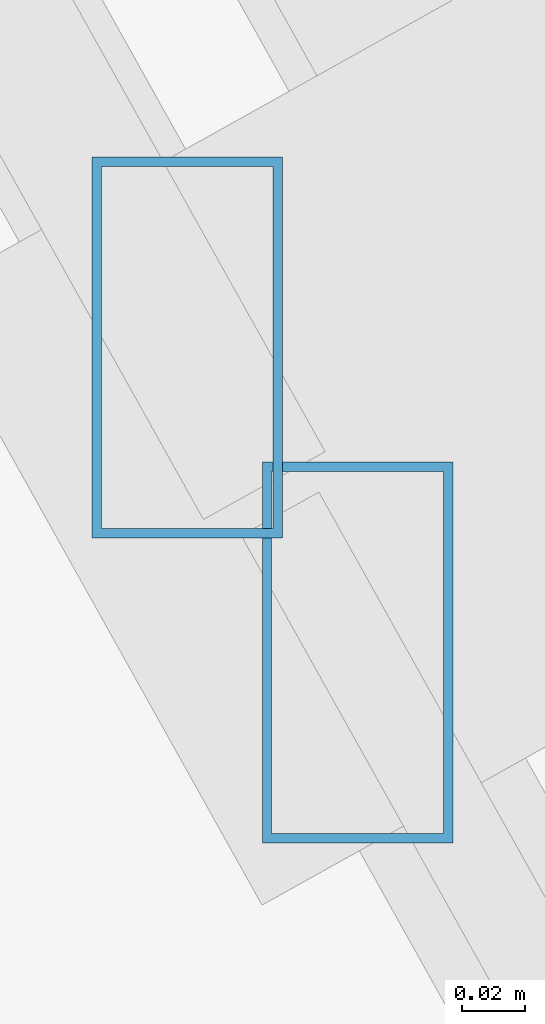
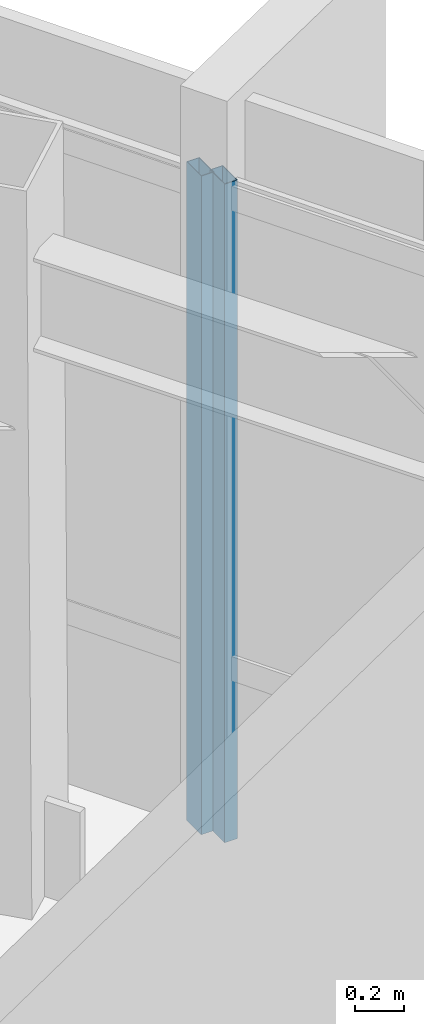
# One storey, part 30 of 44: 2 members, 2 elements without a shape of their own.
"""IFC4 building model written with IfcOpenShell, lengths in metres."""

from ifc_helpers import new_model, si_unit, direction, frame, origin, origin_2d, place, context, subcontext, project, spatial, hollow_rectangle, extrude, source, transform, mapped, material, material_profile, profile_set, type_object, type_shapes, element, aggregate, save


model = new_model("IFC4")

# Units and contexts
model_context = context("Model", 3, precision=1e-05, world=origin(), true_north=direction((0.0, 1.0)))
body_context = subcontext(model_context, "Body", "Model", "MODEL_VIEW")
ifc_project = project(units=[si_unit("LENGTHUNIT", "METRE"), si_unit("AREAUNIT", "SQUARE_METRE"), si_unit("VOLUMEUNIT", "CUBIC_METRE"), si_unit("PLANEANGLEUNIT", "RADIAN"), si_unit("MASSUNIT", "GRAM", prefix="KILO")], contexts=[model_context])

# Site, building, storey
site_placement = place(None, origin())
site = spatial("IfcSite", under=ifc_project, at=site_placement, CompositionType="ELEMENT")
building_placement = place(site_placement, origin())
building = spatial("IfcBuilding", under=site, at=building_placement, Name="Caelisora Broadcast Tower", CompositionType="ELEMENT")
storey_placement = place(building_placement, frame((0.0, 0.0, 280.949951171875)))
storey = spatial("IfcBuildingStorey", under=building, at=storey_placement, Name="L74", CompositionType="ELEMENT", Elevation=280.949951171875)

# Curtain wall, member
ifc_material_1 = material(Name="Unitised Aluminium Insulated Shadow-Box Spandrel Curtain Wall", Category="aluminium")
curtain_wall_type_1 = type_object("IfcCurtainWallType", Name="CW-SP3", PredefinedType="NOTDEFINED", material=ifc_material_1)
curtain_wall_1_placement = place(storey_placement, origin())
curtain_wall_1 = element("IfcCurtainWall", 1, at=curtain_wall_1_placement, inside=storey, type_object=curtain_wall_type_1, Name="L74 curtain wall CW-SP3", PredefinedType="NOTDEFINED")
ifc_material_2 = material(Name="Aluminium 6063-T6 Anodised Terracotta Bronze", Category="aluminium")
ifc_material_profile = material_profile(ifc_material_2, hollow_rectangle(XDim=0.06005859375, YDim=0.1201171875, WallThickness=0.0029296875, at=origin_2d()), Name="Aluminium 6063-T6 Anodised Terracotta Bronze")
ifc_profile_set = profile_set([ifc_material_profile], Name="Aluminium 6063-T6 Anodised Terracotta Bronze")
member_type = type_object("IfcMemberType", Name="CWM-04", PredefinedType="MULLION", material=ifc_profile_set)
shared_shape = source(origin(), body_context, "Body", "SweptSolid", [
    extrude(hollow_rectangle(XDim=0.06005859375, YDim=0.1201171875, WallThickness=0.0029296875, at=origin_2d()), origin(), (0.0, 0.0, 1.0), 3.25),
])
type_shapes(member_type, [shared_shape])
member_1_placement = place(storey_placement, frame((54.19775390625, 25.76513671875, 0.0), z_axis=(0.0, 0.0, 1.0), x_axis=(1.0, 0.0, 0.0)))
member_1 = element("IfcMember", 2, at=member_1_placement, type_object=member_type, Name="L74-CW-B02 mullion #3", PredefinedType="MULLION", context=body_context, shape_type="MappedRepresentation", body=[
    mapped(shared_shape, transform((0.0, 0.0, 0.0), scale=1.0)),
])
aggregate(curtain_wall_1, [member_1])

ifc_material_3 = material(Name="Unitised Aluminium and Low-E Glass Curtain Wall", Category="glass")
curtain_wall_type_2 = type_object("IfcCurtainWallType", Name="CW-Z5", PredefinedType="NOTDEFINED", material=ifc_material_3)
curtain_wall_2_placement = place(storey_placement, origin())
curtain_wall_2 = element("IfcCurtainWall", 3, at=curtain_wall_2_placement, inside=storey, type_object=curtain_wall_type_2, Name="L74 curtain wall CW-Z5", PredefinedType="NOTDEFINED")
member_2_placement = place(storey_placement, frame((54.25146484375, 25.6689453125, 0.0), z_axis=(0.0, 0.0, 1.0), x_axis=(1.0, 0.0, 0.0)))
member_2 = element("IfcMember", 4, at=member_2_placement, type_object=member_type, Name="L74-CW-B03 mullion #0", PredefinedType="MULLION", context=body_context, shape_type="MappedRepresentation", body=[
    mapped(shared_shape, transform((0.0, 0.0, 0.0), scale=1.0)),
])
aggregate(curtain_wall_2, [member_2])

save(model, "model.ifc")
